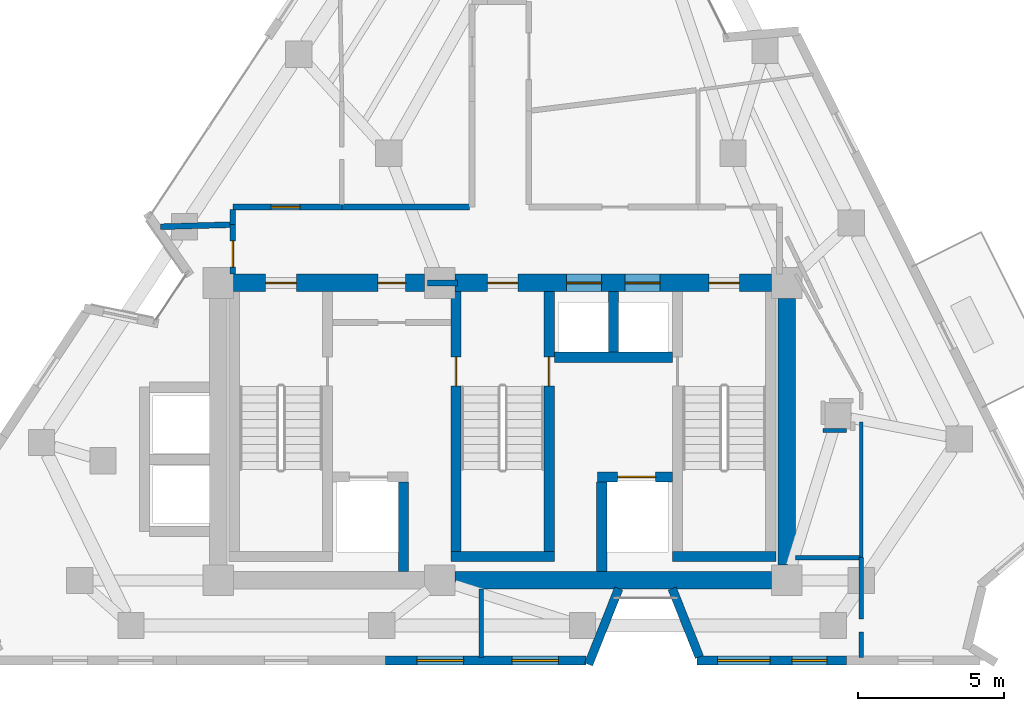
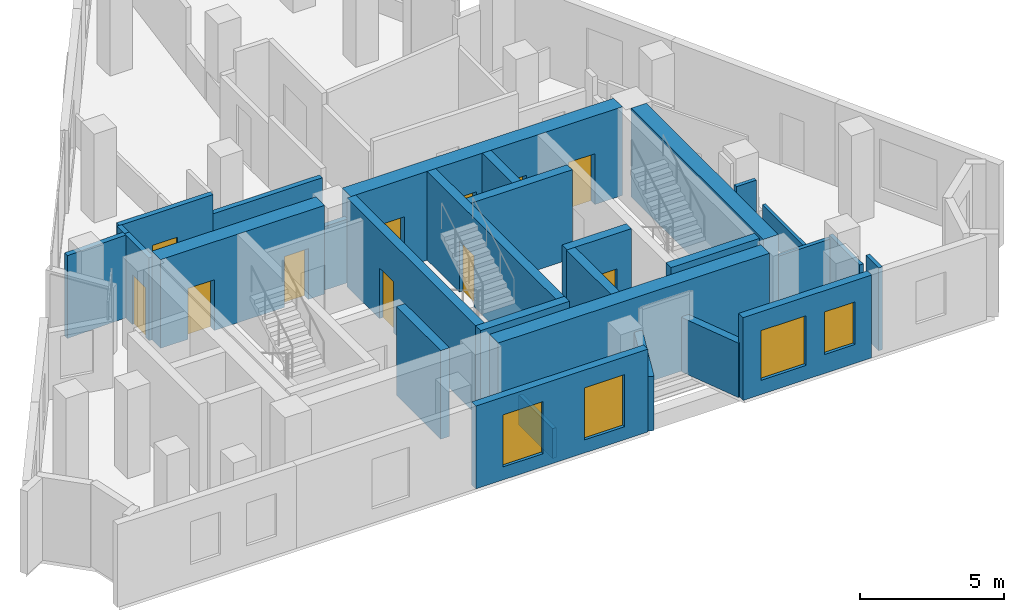
# One storey, part 5 of 9: 29 walls, 11 doors, 4 windows, 15 openings.
"""IFC4 building model written with IfcOpenShell, lengths in metres."""

from ifc_helpers import new_model, si_unit, direction, frame, frame_2d, origin, place, context, subcontext, project, spatial, rectangle, extrude, material, layer, layer_set, type_object, element, fill, save


model = new_model("IFC4")

# Units and contexts
model_context = context("Model", 3, precision=1e-05, world=origin(), true_north=direction((0.0, 1.0)))
body_context = subcontext(model_context, "Body", "Model", "MODEL_VIEW")
ifc_project = project(units=[si_unit("LENGTHUNIT", "METRE"), si_unit("AREAUNIT", "SQUARE_METRE"), si_unit("VOLUMEUNIT", "CUBIC_METRE"), si_unit("PLANEANGLEUNIT", "RADIAN"), si_unit("MASSUNIT", "GRAM", prefix="KILO")], contexts=[model_context])

# Site, building, storey
site_placement = place(None, origin())
site = spatial("IfcSite", under=ifc_project, at=site_placement, CompositionType="ELEMENT")
building_placement = place(site_placement, origin())
building = spatial("IfcBuilding", under=site, at=building_placement, Name="Almagre Mirador Tower", CompositionType="ELEMENT")
storey_placement = place(building_placement, frame((0.0, 0.0, 267.0)))
storey = spatial("IfcBuildingStorey", under=building, at=storey_placement, Name="L69", CompositionType="ELEMENT", Elevation=267.0)

# Wall, openings, windows
ifc_material_1 = material(Name="Precast concrete C50/60", Category="concrete")
ifc_layer_1 = layer(ifc_material_1, 0.300048828125)
ifc_layer_set_1 = layer_set([ifc_layer_1], Name="Precast concrete C50/60")
wall_type_1 = type_object("IfcWallType", Name="WAL-EXT-300", PredefinedType="SOLIDWALL", material=ifc_layer_set_1)
wall_1_placement = place(storey_placement, frame((49.10009765625, 1.800048828125, 0.0), z_axis=(0.0, 0.0, 1.0), x_axis=(-1.0, 0.0, 0.0)))
wall_1 = element("IfcWall", 1, at=wall_1_placement, inside=storey, type_object=wall_type_1, Name="L69 expressed almagre precast frame wall 21", PredefinedType="SOLIDWALL", context=body_context, shape_type="SweptSolid", body=[
    extrude(rectangle(XDim=5.14013671875, YDim=0.300048828125, at=frame_2d((2.570068359375, 0.0))), origin(), (0.0, 0.0, 1.0), 3.5),
])
opening_1_placement = place(wall_1_placement, frame((2.625, 0.0, 0.60009765625)))
opening_1 = element("IfcOpeningElement", 2, at=opening_1_placement, cuts=wall_1, Name="Opening WN-01", PredefinedType="OPENING", context=body_context, shape_type="SweptSolid", body=[
    extrude(rectangle(XDim=1.800048828125, YDim=2.10009765625, at=frame_2d((0.89990234375, 1.050048828125))), frame((0.0, 0.159902, 0.0), z_axis=(0.0, -1.0, 0.0), x_axis=(1.0, 0.0, 0.0)), (0.0, 0.0, 1.0), 0.320049),
])
opening_2_placement = place(wall_1_placement, frame((0.675048828125, 0.0, 0.800048828125)))
opening_2 = element("IfcOpeningElement", 3, at=opening_2_placement, cuts=wall_1, Name="Opening WN-04", PredefinedType="OPENING", context=body_context, shape_type="SweptSolid", body=[
    extrude(rectangle(XDim=1.199951171875, YDim=1.800048828125, at=frame_2d((0.60009765625, 0.89990234375))), frame((0.0, 0.159902, 0.0), z_axis=(0.0, -1.0, 0.0), x_axis=(1.0, 0.0, 0.0)), (0.0, 0.0, 1.0), 0.320049),
])
ifc_material_2 = material(Name="Dark solar-control laminated hurricane glass", Category="glass")
window_type_1 = type_object("IfcWindowType", Name="WIN-1200X1800", PartitioningType="SINGLE_PANEL", PredefinedType="WINDOW", material=ifc_material_2)
window_1_placement = place(opening_2_placement, origin())
window_1 = element("IfcWindow", 4, at=window_1_placement, inside=storey, type_object=window_type_1, Name="L69 recessed hurricane window L69-UC-BT", OverallHeight=1.800048828125, OverallWidth=1.199951171875, PartitioningType="SINGLE_PANEL", PredefinedType="WINDOW", context=body_context, shape_type="SweptSolid", body=[
    extrude(rectangle(XDim=1.199951171875, YDim=1.800048828125, at=frame_2d((0.60009765625, 0.89990234375))), frame((0.0, 0.030029296875, 0.0), z_axis=(0.0, -1.0, 0.0), x_axis=(1.0, 0.0, 0.0)), (0.0, 0.0, 1.0), 0.06005859375),
])
fill(opening_2, window_1)
ifc_material_3 = material(Name="Dark solar-control laminated hurricane glass", Category="glass")
window_type_2 = type_object("IfcWindowType", Name="WIN-1800X2100", PartitioningType="DOUBLE_PANEL_VERTICAL", PredefinedType="WINDOW", material=ifc_material_3)
window_2_placement = place(opening_1_placement, origin())
window_2 = element("IfcWindow", 5, at=window_2_placement, inside=storey, type_object=window_type_2, Name="L69 recessed hurricane window L69-UB-BT", OverallHeight=2.10009765625, OverallWidth=1.800048828125, PartitioningType="SINGLE_PANEL", PredefinedType="WINDOW", context=body_context, shape_type="SweptSolid", body=[
    extrude(rectangle(XDim=1.800048828125, YDim=2.10009765625, at=frame_2d((0.89990234375, 1.050048828125))), frame((0.0, 0.030029296875, 0.0), z_axis=(0.0, -1.0, 0.0), x_axis=(1.0, 0.0, 0.0)), (0.0, 0.0, 1.0), 0.06005859375),
])
fill(opening_1, window_2)

# Walls
wall_2_placement = place(storey_placement, frame((44.050048828125, 1.92529296875, 0.0), z_axis=(0.0, 0.0, 1.0), x_axis=(-0.369457562636, 0.929247603931, 0.0)))
element("IfcWall", 6, at=wall_2_placement, inside=storey, type_object=wall_type_1, Name="L69 expressed almagre precast frame wall 22", PredefinedType="SOLIDWALL", context=body_context, shape_type="SweptSolid", body=[
    extrude(rectangle(XDim=2.52685546875, YDim=0.300048828125, at=frame_2d((1.263427734375, 0.0))), origin(), (0.0, 0.0, 1.0), 2.300048828125),
])
wall_3_placement = place(storey_placement, frame((41.28369140625, 4.2734375, 0.0), z_axis=(0.0, 0.0, 1.0), x_axis=(-0.369542065233, -0.929214002275, 0.0)))
element("IfcWall", 7, at=wall_3_placement, inside=storey, type_object=wall_type_1, Name="L69 expressed almagre precast frame wall 23", PredefinedType="SOLIDWALL", context=body_context, shape_type="SweptSolid", body=[
    extrude(rectangle(XDim=2.8017578125, YDim=0.300048828125, at=frame_2d((1.40087890625, 0.0))), origin(), (0.0, 0.0, 1.0), 2.300048828125),
])

# Wall, openings, windows
wall_4_placement = place(storey_placement, frame((40.1650390625, 1.800048828125, 0.0), z_axis=(0.0, 0.0, 1.0), x_axis=(-1.0, 0.0, 0.0)))
wall_4 = element("IfcWall", 8, at=wall_4_placement, inside=storey, type_object=wall_type_1, Name="L69 expressed almagre precast frame wall 24", PredefinedType="SOLIDWALL", context=body_context, shape_type="SweptSolid", body=[
    extrude(rectangle(XDim=6.885009765625, YDim=0.300048828125, at=frame_2d((3.4423828125, 0.0))), origin(), (0.0, 0.0, 1.0), 3.5),
])
opening_3_placement = place(wall_4_placement, frame((4.199951171875, 0.0, 0.550048828125)))
opening_3 = element("IfcOpeningElement", 9, at=opening_3_placement, cuts=wall_4, Name="Opening WN-06", PredefinedType="OPENING", context=body_context, shape_type="SweptSolid", body=[
    extrude(rectangle(XDim=1.60009765625, YDim=2.199951171875, at=frame_2d((0.800048828125, 1.10009765625))), frame((0.0, 0.159902, 0.0), z_axis=(0.0, -1.0, 0.0), x_axis=(1.0, 0.0, 0.0)), (0.0, 0.0, 1.0), 0.320049),
])
opening_4_placement = place(wall_4_placement, frame((0.949951171875, 0.0, 0.550048828125)))
opening_4 = element("IfcOpeningElement", 10, at=opening_4_placement, cuts=wall_4, Name="Opening WN-06", PredefinedType="OPENING", context=body_context, shape_type="SweptSolid", body=[
    extrude(rectangle(XDim=1.60009765625, YDim=2.199951171875, at=frame_2d((0.800048828125, 1.10009765625))), frame((0.0, 0.159902, 0.0), z_axis=(0.0, -1.0, 0.0), x_axis=(1.0, 0.0, 0.0)), (0.0, 0.0, 1.0), 0.320049),
])
ifc_material_4 = material(Name="Dark solar-control laminated hurricane glass", Category="glass")
window_type_3 = type_object("IfcWindowType", Name="WIN-1600X2200", PartitioningType="DOUBLE_PANEL_VERTICAL", PredefinedType="WINDOW", material=ifc_material_4)
window_3_placement = place(opening_3_placement, origin())
window_3 = element("IfcWindow", 11, at=window_3_placement, inside=storey, type_object=window_type_3, Name="L69 recessed hurricane window L69-UB-ST", OverallHeight=2.199951171875, OverallWidth=1.60009765625, PartitioningType="SINGLE_PANEL", PredefinedType="WINDOW", context=body_context, shape_type="SweptSolid", body=[
    extrude(rectangle(XDim=1.60009765625, YDim=2.199951171875, at=frame_2d((0.800048828125, 1.10009765625))), frame((0.0, 0.030029296875, 0.0), z_axis=(0.0, -1.0, 0.0), x_axis=(1.0, 0.0, 0.0)), (0.0, 0.0, 1.0), 0.06005859375),
])
fill(opening_3, window_3)
window_4_placement = place(opening_4_placement, origin())
window_4 = element("IfcWindow", 12, at=window_4_placement, inside=storey, type_object=window_type_3, Name="L69 recessed hurricane window L69-UB-BT", OverallHeight=2.199951171875, OverallWidth=1.60009765625, PartitioningType="SINGLE_PANEL", PredefinedType="WINDOW", context=body_context, shape_type="SweptSolid", body=[
    extrude(rectangle(XDim=1.60009765625, YDim=2.199951171875, at=frame_2d((0.800048828125, 1.10009765625))), frame((0.0, 0.030029296875, 0.0), z_axis=(0.0, -1.0, 0.0), x_axis=(1.0, 0.0, 0.0)), (0.0, 0.0, 1.0), 0.06005859375),
])
fill(opening_4, window_4)

# Walls
ifc_material_5 = material(Name="Gypsum acoustic stud partition", Category="other")
ifc_layer_2 = layer(ifc_material_5, 0.125)
ifc_layer_set_2 = layer_set([ifc_layer_2], Name="Gypsum acoustic stud partition")
wall_type_2 = type_object("IfcWallType", Name="WAL-PRT-125-UTL", PredefinedType="PARTITIONING", material=ifc_layer_set_2)
wall_5_placement = place(storey_placement, frame((49.60009765625, 9.97998046875, 0.0), z_axis=(0.0, 0.0, 1.0), x_axis=(0.0, -1.0, 0.0)))
element("IfcWall", 13, at=wall_5_placement, inside=storey, type_object=wall_type_2, Name="L69 interior partition 027", PredefinedType="PARTITIONING", context=body_context, shape_type="SweptSolid", body=[
    extrude(rectangle(XDim=4.64990234375, YDim=0.125, at=frame_2d((2.324951171875, 0.0))), origin(), (0.0, 0.0, 1.0), 1.27001953125),
])
ifc_material_6 = material(Name="Gypsum acoustic stud partition", Category="other")
ifc_layer_3 = layer(ifc_material_6, 0.14990234375)
ifc_layer_set_3 = layer_set([ifc_layer_3], Name="Gypsum acoustic stud partition")
wall_type_3 = type_object("IfcWallType", Name="WAL-PRT-150-STD", PredefinedType="PARTITIONING", material=ifc_layer_set_3)
wall_6_placement = place(storey_placement, frame((36.570068359375, 1.89990234375, 0.0), z_axis=(0.0, 0.0, 1.0), x_axis=(0.0, 1.0, 0.0)))
element("IfcWall", 14, at=wall_6_placement, inside=storey, type_object=wall_type_3, Name="L69 interior partition 024", PredefinedType="PARTITIONING", context=body_context, shape_type="SweptSolid", body=[
    extrude(rectangle(XDim=2.35009765625, YDim=0.14990234375, at=frame_2d((1.175048828125, 0.0))), origin(), (0.0, 0.0, 1.0), 1.27001953125),
])
wall_7_placement = place(storey_placement, frame((49.60009765625, 2.780029296875, 0.0), z_axis=(0.0, 0.0, 1.0), x_axis=(0.0, -1.0, 0.0)))
element("IfcWall", 15, at=wall_7_placement, inside=storey, type_object=wall_type_3, Name="L69 interior partition 029", PredefinedType="PARTITIONING", context=body_context, shape_type="SweptSolid", body=[
    extrude(rectangle(XDim=0.880126953125, YDim=0.14990234375, at=frame_2d((0.43994140625, 0.0))), origin(), (0.0, 0.0, 1.0), 3.5),
])
wall_8_placement = place(storey_placement, frame((49.60009765625, 5.330078125, 0.0), z_axis=(0.0, 0.0, 1.0), x_axis=(0.0, -1.0, 0.0)))
element("IfcWall", 16, at=wall_8_placement, inside=storey, type_object=wall_type_3, Name="L69 interior partition 030", PredefinedType="PARTITIONING", context=body_context, shape_type="SweptSolid", body=[
    extrude(rectangle(XDim=2.110107421875, YDim=0.14990234375, at=frame_2d((1.05517578125, 0.0))), origin(), (0.0, 0.0, 1.0), 2.820068359375),
])
wall_9_placement = place(storey_placement, frame((47.35009765625, 5.330078125, 0.0), z_axis=(0.0, 0.0, 1.0), x_axis=(1.0, 0.0, 0.0)))
element("IfcWall", 17, at=wall_9_placement, inside=storey, type_object=wall_type_3, Name="L69 interior partition 032", PredefinedType="PARTITIONING", context=body_context, shape_type="SweptSolid", body=[
    extrude(rectangle(XDim=2.202392578125, YDim=0.14990234375, at=frame_2d((1.10107421875, 0.0))), origin(), (0.0, 0.0, 1.0), 2.68505859375),
])
wall_10_placement = place(storey_placement, frame((49.094970703125, 9.68994140625, 0.0), z_axis=(0.0, 0.0, 1.0), x_axis=(-1.0, 0.0, 0.0)))
element("IfcWall", 18, at=wall_10_placement, inside=storey, type_object=wall_type_3, Name="L69 interior partition 047", PredefinedType="PARTITIONING", context=body_context, shape_type="SweptSolid", body=[
    extrude(rectangle(XDim=0.804931640625, YDim=0.14990234375, at=frame_2d((0.40234375, 0.0))), origin(), (0.0, 0.0, 1.0), 2.68505859375),
])
ifc_material_7 = material(Name="Gypsum acoustic stud partition", Category="other")
ifc_layer_4 = layer(ifc_material_7, 0.199951171875)
ifc_layer_set_4 = layer_set([ifc_layer_4], Name="Gypsum acoustic stud partition")
wall_type_4 = type_object("IfcWallType", Name="WAL-PRT-200-EI60", PredefinedType="PARTITIONING", material=ifc_layer_set_4)
wall_11_placement = place(storey_placement, frame((34.719970703125, 14.75, 0.0), z_axis=(0.0, 0.0, 1.0), x_axis=(1.0, 0.0, 0.0)))
element("IfcWall", 19, at=wall_11_placement, inside=storey, type_object=wall_type_4, Name="L69 core north closure wall", PredefinedType="PARTITIONING", context=body_context, shape_type="SweptSolid", body=[
    extrude(rectangle(XDim=1.030029296875, YDim=0.199951171875, at=frame_2d((0.51513671875, 0.0))), origin(), (0.0, 0.0, 1.0), 2.68505859375),
])

# Wall, opening, door
wall_12_placement = place(storey_placement, frame((28.050048828125, 16.75, 0.0), z_axis=(0.0, 0.0, 1.0), x_axis=(0.0, -1.0, 0.0)))
wall_12 = element("IfcWall", 20, at=wall_12_placement, inside=storey, type_object=wall_type_4, Name="L69 interior partition 002", PredefinedType="PARTITIONING", context=body_context, shape_type="SweptSolid", body=[
    extrude(rectangle(XDim=1.699951171875, YDim=0.199951171875, at=frame_2d((0.85009765625, 0.0))), origin(), (0.0, 0.0, 1.0), 3.5),
])
opening_5_placement = place(wall_12_placement, frame((0.555908203125, 0.0, 0.0)))
opening_5 = element("IfcOpeningElement", 21, at=opening_5_placement, cuts=wall_12, Name="Opening ID-03", PredefinedType="OPENING", context=body_context, shape_type="SweptSolid", body=[
    extrude(rectangle(XDim=0.89990234375, YDim=2.10009765625, at=frame_2d((0.449951171875, 1.050048828125))), frame((0.0, 0.110098, 0.0), z_axis=(0.0, -1.0, 0.0), x_axis=(1.0, 0.0, 0.0)), (0.0, 0.0, 1.0), 0.219951),
])
ifc_material_8 = material(Name="Fire-rated hollow steel", Category="steel")
door_type_1 = type_object("IfcDoorType", Name="DOR-FD60-900X2100", OperationType="NOTDEFINED", PredefinedType="DOOR", material=ifc_material_8)
door_1_placement = place(opening_5_placement, origin())
door_1 = element("IfcDoor", 22, at=door_1_placement, inside=storey, type_object=door_type_1, Name="DR-2102 L69 interior door L69-RCOR to L69-RST-D", OperationType="SINGLE_SWING_LEFT", OverallHeight=2.10009765625, OverallWidth=0.89990234375, PredefinedType="DOOR", context=body_context, shape_type="SweptSolid", body=[
    extrude(rectangle(XDim=0.89990234375, YDim=2.10009765625, at=frame_2d((0.449951171875, 1.050048828125))), frame((0.0, 0.02490234375, 0.0), z_axis=(0.0, -1.0, 0.0), x_axis=(1.0, 0.0, 0.0)), (0.0, 0.0, 1.0), 0.050048828125),
])
fill(opening_5, door_1)

wall_13_placement = place(storey_placement, frame((31.7900390625, 17.35009765625, 0.0), z_axis=(0.0, 0.0, 1.0), x_axis=(-1.0, 0.0, 0.0)))
wall_13 = element("IfcWall", 23, at=wall_13_placement, inside=storey, type_object=wall_type_4, Name="L69 interior partition 009", PredefinedType="PARTITIONING", context=body_context, shape_type="SweptSolid", body=[
    extrude(rectangle(XDim=3.739990234375, YDim=0.199951171875, at=frame_2d((1.8701171875, 0.0))), origin(), (0.0, 0.0, 1.0), 3.5),
])
opening_6_placement = place(wall_13_placement, frame((1.4287109375, 0.0, 0.0)))
opening_6 = element("IfcOpeningElement", 24, at=opening_6_placement, cuts=wall_13, Name="Opening ID-01", PredefinedType="OPENING", context=body_context, shape_type="SweptSolid", body=[
    extrude(rectangle(XDim=1.0, YDim=2.199951171875, at=frame_2d((0.5, 1.10009765625))), frame((0.0, 0.110098, 0.0), z_axis=(0.0, -1.0, 0.0), x_axis=(1.0, 0.0, 0.0)), (0.0, 0.0, 1.0), 0.219951),
])
ifc_material_9 = material(Name="Fire-rated walnut timber", Category="wood")
door_type_2 = type_object("IfcDoorType", Name="DOR-FD60-1000X2200", OperationType="NOTDEFINED", PredefinedType="DOOR", material=ifc_material_9)
door_2_placement = place(opening_6_placement, origin())
door_2 = element("IfcDoor", 25, at=door_2_placement, inside=storey, type_object=door_type_2, Name="DR-2107 L69 interior door L69-RCOR to L69-UG-KT", OperationType="SINGLE_SWING_RIGHT", OverallHeight=2.199951171875, OverallWidth=1.0, PredefinedType="DOOR", context=body_context, shape_type="SweptSolid", body=[
    extrude(rectangle(XDim=1.0, YDim=2.199951171875, at=frame_2d((0.5, 1.10009765625))), frame((0.0, 0.02490234375, 0.0), z_axis=(0.0, -1.0, 0.0), x_axis=(1.0, 0.0, 0.0)), (0.0, 0.0, 1.0), 0.050048828125),
])
fill(opening_6, door_2)

# Walls
wall_14_placement = place(storey_placement, frame((28.050048828125, 17.264892578125, 0.0), z_axis=(0.0, 0.0, 1.0), x_axis=(0.0, -1.0, 0.0)))
element("IfcWall", 26, at=wall_14_placement, inside=storey, type_object=wall_type_4, Name="L69 interior partition 010", PredefinedType="PARTITIONING", context=body_context, shape_type="SweptSolid", body=[
    extrude(rectangle(XDim=0.514892578125, YDim=0.199951171875, at=frame_2d((0.25732421875, 0.0))), origin(), (0.0, 0.0, 1.0), 3.5),
])
wall_15_placement = place(storey_placement, frame((36.1650390625, 17.35009765625, 0.0), z_axis=(0.0, 0.0, 1.0), x_axis=(-1.0, 0.0, 0.0)))
element("IfcWall", 27, at=wall_15_placement, inside=storey, type_object=wall_type_4, Name="L69 interior partition 012", PredefinedType="PARTITIONING", context=body_context, shape_type="SweptSolid", body=[
    extrude(rectangle(XDim=4.375, YDim=0.199951171875, at=frame_2d((2.1875, 0.0))), origin(), (0.0, 0.0, 1.0), 2.68505859375),
])
wall_16_placement = place(storey_placement, frame((27.965087890625, 16.74853515625, 0.0), z_axis=(0.0, 0.0, 1.0), x_axis=(-0.999564571774, -0.029507064478, 0.0)))
element("IfcWall", 28, at=wall_16_placement, inside=storey, type_object=wall_type_4, Name="L69 interior partition 033", PredefinedType="PARTITIONING", context=body_context, shape_type="SweptSolid", body=[
    extrude(rectangle(XDim=2.39111328125, YDim=0.199951171875, at=frame_2d((1.195556640625, 0.0))), origin(), (0.0, 0.0, 1.0), 3.5),
])

# Wall, opening, door
ifc_material_10 = material(Name="Concrete C60/75", Category="concrete")
ifc_layer_5 = layer(ifc_material_10, 0.35009765625)
ifc_layer_set_5 = layer_set([ifc_layer_5], Name="Concrete C60/75")
wall_type_5 = type_object("IfcWallType", Name="WAL-SHF-350", PredefinedType="SOLIDWALL", material=ifc_layer_set_5)
wall_17_placement = place(storey_placement, frame((35.699951171875, 5.199951171875, 0.0), z_axis=(0.0, 0.0, 1.0), x_axis=(0.0, 1.0, 0.0)))
wall_17 = element("IfcWall", 29, at=wall_17_placement, inside=storey, type_object=wall_type_5, Name="L69 shaft wall ST2-W", PredefinedType="SOLIDWALL", context=body_context, shape_type="SweptSolid", body=[
    extrude(rectangle(XDim=9.25, YDim=0.35009765625, at=frame_2d((4.625, 0.0))), origin(), (0.0, 0.0, 1.0), 3.75),
])
opening_7_placement = place(wall_17_placement, frame((6.02001953125, 0.0, 0.0)))
opening_7 = element("IfcOpeningElement", 30, at=opening_7_placement, cuts=wall_17, Name="Opening FD-01", PredefinedType="OPENING", context=body_context, shape_type="SweptSolid", body=[
    extrude(rectangle(XDim=1.0, YDim=2.14990234375, at=frame_2d((0.5, 1.074951171875))), frame((0.0, 0.185049, 0.0), z_axis=(0.0, -1.0, 0.0), x_axis=(1.0, 0.0, 0.0)), (0.0, 0.0, 1.0), 0.370098),
])
ifc_material_11 = material(Name="Fire-rated hollow steel", Category="steel")
door_type_3 = type_object("IfcDoorType", Name="DOR-FFL-1000X2150", OperationType="NOTDEFINED", PredefinedType="DOOR", material=ifc_material_11)
door_3_placement = place(opening_7_placement, origin())
door_3 = element("IfcDoor", 31, at=door_3_placement, inside=storey, type_object=door_type_3, Name="DR-2099 L69 FFL1-ST2 smokeproof door", OperationType="SINGLE_SWING_RIGHT", OverallHeight=2.14990234375, OverallWidth=1.0, PredefinedType="DOOR", context=body_context, shape_type="SweptSolid", body=[
    extrude(rectangle(XDim=1.0, YDim=2.14990234375, at=frame_2d((0.5, 1.074951171875))), frame((0.0, 0.02490234375, 0.0), z_axis=(0.0, -1.0, 0.0), x_axis=(1.0, 0.0, 0.0)), (0.0, 0.0, 1.0), 0.050048828125),
])
fill(opening_7, door_3)

wall_18_placement = place(storey_placement, frame((38.89990234375, 5.199951171875, 0.0), z_axis=(0.0, 0.0, 1.0), x_axis=(0.0, 1.0, 0.0)))
wall_18 = element("IfcWall", 32, at=wall_18_placement, inside=storey, type_object=wall_type_5, Name="L69 shaft wall ST2-E", PredefinedType="SOLIDWALL", context=body_context, shape_type="SweptSolid", body=[
    extrude(rectangle(XDim=9.25, YDim=0.35009765625, at=frame_2d((4.625, 0.0))), origin(), (0.0, 0.0, 1.0), 3.75),
])
opening_8_placement = place(wall_18_placement, frame((6.02001953125, 0.0, 0.0)))
opening_8 = element("IfcOpeningElement", 33, at=opening_8_placement, cuts=wall_18, Name="Opening FD-01", PredefinedType="OPENING", context=body_context, shape_type="SweptSolid", body=[
    extrude(rectangle(XDim=1.0, YDim=2.14990234375, at=frame_2d((0.5, 1.074951171875))), frame((0.0, 0.185049, 0.0), z_axis=(0.0, -1.0, 0.0), x_axis=(1.0, 0.0, 0.0)), (0.0, 0.0, 1.0), 0.370098),
])
door_4_placement = place(opening_8_placement, origin())
door_4 = element("IfcDoor", 34, at=door_4_placement, inside=storey, type_object=door_type_3, Name="DR-2100 L69 FFL2-ST2 smokeproof door", OperationType="SINGLE_SWING_LEFT", OverallHeight=2.14990234375, OverallWidth=1.0, PredefinedType="DOOR", context=body_context, shape_type="SweptSolid", body=[
    extrude(rectangle(XDim=1.0, YDim=2.14990234375, at=frame_2d((0.5, 1.074951171875))), frame((0.0, 0.02490234375, 0.0), z_axis=(0.0, -1.0, 0.0), x_axis=(1.0, 0.0, 0.0)), (0.0, 0.0, 1.0), 0.050048828125),
])
fill(opening_8, door_4)

# Walls
for number, where, z_axis, x_axis, name in (
    (35, (35.52490234375, 5.375, 0.0), (0.0, 0.0, 1.0), (1.0, 0.0, 0.0), "L69 shaft wall ST2-S"),
    (36, (43.125, 5.375, 0.0), (0.0, 0.0, 1.0), (1.0, 0.0, 0.0), "L69 shaft wall ST3-S"),
):
    element("IfcWall", number, at=place(storey_placement, frame(where, z_axis=z_axis, x_axis=x_axis)), inside=storey, type_object=wall_type_5, Name=name, PredefinedType="SOLIDWALL", context=body_context, shape_type="SweptSolid", body=[
        extrude(rectangle(XDim=3.550048828125, YDim=0.35009765625, at=frame_2d((1.77490234375, 0.0))), origin(), (0.0, 0.0, 1.0), 3.75),
    ])

# Wall, opening, door
wall_19_placement = place(storey_placement, frame((40.550048828125, 8.10009765625, 0.0), z_axis=(0.0, 0.0, 1.0), x_axis=(1.0, 0.0, 0.0)))
wall_19 = element("IfcWall", 37, at=wall_19_placement, inside=storey, type_object=wall_type_5, Name="L69 shaft wall FSAE2-N", PredefinedType="SOLIDWALL", context=body_context, shape_type="SweptSolid", body=[
    extrude(rectangle(XDim=2.574951171875, YDim=0.35009765625, at=frame_2d((1.28759765625, 0.0))), origin(), (0.0, 0.0, 1.0), 3.75),
])
opening_9_placement = place(wall_19_placement, frame((0.699951171875, 0.0, 0.0)))
opening_9 = element("IfcOpeningElement", 38, at=opening_9_placement, cuts=wall_19, Name="Opening LD-03", PredefinedType="OPENING", context=body_context, shape_type="SweptSolid", body=[
    extrude(rectangle(XDim=1.300048828125, YDim=2.25, at=frame_2d((0.64990234375, 1.125))), frame((0.0, 0.185049, 0.0), z_axis=(0.0, -1.0, 0.0), x_axis=(1.0, 0.0, 0.0)), (0.0, 0.0, 1.0), 0.370098),
])
ifc_material_12 = material(Name="Hollow stainless steel", Category="steel")
door_type_4 = type_object("IfcDoorType", Name="DOR-LD-1300X2250", OperationType="DOUBLE_DOOR_SLIDING", PredefinedType="DOOR", material=ifc_material_12)
door_5_placement = place(opening_9_placement, origin())
door_5 = element("IfcDoor", 39, at=door_5_placement, inside=storey, type_object=door_type_4, Name="DR-2110 L69 FSAE-2 lift landing door", OperationType="DOUBLE_DOOR_SLIDING", OverallHeight=2.25, OverallWidth=1.300048828125, PredefinedType="DOOR", context=body_context, shape_type="SweptSolid", body=[
    extrude(rectangle(XDim=1.300048828125, YDim=2.25, at=frame_2d((0.64990234375, 1.125))), frame((0.0, 0.02490234375, 0.0), z_axis=(0.0, -1.0, 0.0), x_axis=(1.0, 0.0, 0.0)), (0.0, 0.0, 1.0), 0.050048828125),
])
fill(opening_9, door_5)

# Walls
for number, where, z_axis, x_axis, name in (
    (40, (33.89990234375, 4.85009765625, 0.0), (0.0, 0.0, 1.0), (0.0, 1.0, 0.0), "L69 shaft wall FSAE1-E"),
    (41, (40.699951171875, 4.85009765625, 0.0), (0.0, 0.0, 1.0), (0.0, 1.0, 0.0), "L69 shaft wall FSAE2-W"),
):
    element("IfcWall", number, at=place(storey_placement, frame(where, z_axis=z_axis, x_axis=x_axis)), inside=storey, type_object=wall_type_5, Name=name, PredefinedType="SOLIDWALL", context=body_context, shape_type="SweptSolid", body=[
        extrude(rectangle(XDim=3.074951171875, YDim=0.35009765625, at=frame_2d((1.53759765625, 0.0))), origin(), (0.0, 0.0, 1.0), 3.75),
    ])
wall_20_placement = place(storey_placement, frame((39.074951171875, 12.199951171875, 0.0), z_axis=(0.0, 0.0, 1.0), x_axis=(1.0, 0.0, 0.0)))
element("IfcWall", 42, at=wall_20_placement, inside=storey, type_object=wall_type_5, Name="L69 shaft wall PLH-S", PredefinedType="SOLIDWALL", context=body_context, shape_type="SweptSolid", body=[
    extrude(rectangle(XDim=4.050048828125, YDim=0.35009765625, at=frame_2d((2.02490234375, 0.0))), origin(), (0.0, 0.0, 1.0), 3.75),
])
wall_21_placement = place(storey_placement, frame((41.10009765625, 12.375, 0.0), z_axis=(0.0, 0.0, 1.0), x_axis=(0.0, 1.0, 0.0)))
element("IfcWall", 43, at=wall_21_placement, inside=storey, type_object=wall_type_5, Name="L69 shaft wall PLH-M", PredefinedType="SOLIDWALL", context=body_context, shape_type="SweptSolid", body=[
    extrude(rectangle(XDim=2.074951171875, YDim=0.35009765625, at=frame_2d((1.03759765625, 0.0))), origin(), (0.0, 0.0, 1.0), 3.75),
])
ifc_material_13 = material(Name="Concrete C60/75", Category="concrete")
ifc_layer_6 = layer(ifc_material_13, 0.60009765625)
ifc_layer_set_6 = layer_set([ifc_layer_6], Name="Concrete C60/75")
wall_type_6 = type_object("IfcWallType", Name="WAL-SHR-600", PredefinedType="SHEAR", material=ifc_layer_set_6)
wall_22_placement = place(storey_placement, frame((35.675048828125, 4.550048828125, 0.0), z_axis=(0.0, 0.0, 1.0), x_axis=(1.0, 0.0, 0.0)))
element("IfcWall", 44, at=wall_22_placement, inside=storey, type_object=wall_type_6, Name="L69 core shear wall S2", PredefinedType="SHEAR", context=body_context, shape_type="SweptSolid", body=[
    extrude(rectangle(XDim=10.849853515625, YDim=0.60009765625, at=frame_2d((5.4248046875, 0.0))), origin(), (0.0, 0.0, 1.0), 3.75),
])

# Wall, openings, doors
wall_23_placement = place(storey_placement, frame((28.074951171875, 14.75, 0.0), z_axis=(0.0, 0.0, 1.0), x_axis=(1.0, 0.0, 0.0)))
wall_23 = element("IfcWall", 45, at=wall_23_placement, inside=storey, type_object=wall_type_6, Name="L69 core shear wall N1", PredefinedType="SHEAR", context=body_context, shape_type="SweptSolid", body=[
    extrude(rectangle(XDim=6.550048828125, YDim=0.60009765625, at=frame_2d((3.27490234375, 0.0))), origin(), (0.0, 0.0, 1.0), 3.75),
])
opening_10_placement = place(wall_23_placement, frame((1.10009765625, 0.0, 0.0)))
opening_10 = element("IfcOpeningElement", 46, at=opening_10_placement, cuts=wall_23, Name="Opening SD-01", PredefinedType="OPENING", context=body_context, shape_type="SweptSolid", body=[
    extrude(rectangle(XDim=1.050048828125, YDim=2.14990234375, at=frame_2d((0.52490234375, 1.074951171875))), frame((0.0, 0.310049, 0.0), z_axis=(0.0, -1.0, 0.0), x_axis=(1.0, 0.0, 0.0)), (0.0, 0.0, 1.0), 0.620098),
])
opening_11_placement = place(wall_23_placement, frame((4.949951171875, 0.0, 0.0)))
opening_11 = element("IfcOpeningElement", 47, at=opening_11_placement, cuts=wall_23, Name="Opening FD-02", PredefinedType="OPENING", context=body_context, shape_type="SweptSolid", body=[
    extrude(rectangle(XDim=0.949951171875, YDim=2.14990234375, at=frame_2d((0.47509765625, 1.074951171875))), frame((0.0, 0.310049, 0.0), z_axis=(0.0, -1.0, 0.0), x_axis=(1.0, 0.0, 0.0)), (0.0, 0.0, 1.0), 0.620098),
])
ifc_material_14 = material(Name="Fire-rated hollow steel", Category="steel")
door_type_5 = type_object("IfcDoorType", Name="DOR-FD90-950X2150", OperationType="NOTDEFINED", PredefinedType="DOOR", material=ifc_material_14)
door_6_placement = place(opening_11_placement, origin())
door_6 = element("IfcDoor", 48, at=door_6_placement, inside=storey, type_object=door_type_5, Name="DR-2096 L69 core equipment room north door", OperationType="SINGLE_SWING_LEFT", OverallHeight=2.14990234375, OverallWidth=0.949951171875, PredefinedType="DOOR", context=body_context, shape_type="SweptSolid", body=[
    extrude(rectangle(XDim=0.949951171875, YDim=2.14990234375, at=frame_2d((0.47509765625, 1.074951171875))), frame((0.0, 0.02490234375, 0.0), z_axis=(0.0, -1.0, 0.0), x_axis=(1.0, 0.0, 0.0)), (0.0, 0.0, 1.0), 0.050048828125),
])
fill(opening_11, door_6)
ifc_material_15 = material(Name="Fire-rated hollow steel", Category="steel")
door_type_6 = type_object("IfcDoorType", Name="DOR-ST-1050X2150", OperationType="NOTDEFINED", PredefinedType="DOOR", material=ifc_material_15)
door_7_placement = place(opening_10_placement, origin())
door_7 = element("IfcDoor", 49, at=door_7_placement, inside=storey, type_object=door_type_6, Name="DR-2113 L69 protected exit stair ST-1 door", OperationType="SINGLE_SWING_RIGHT", OverallHeight=2.14990234375, OverallWidth=1.050048828125, PredefinedType="DOOR", context=body_context, shape_type="SweptSolid", body=[
    extrude(rectangle(XDim=1.050048828125, YDim=2.14990234375, at=frame_2d((0.52490234375, 1.074951171875))), frame((0.0, 0.02490234375, 0.0), z_axis=(0.0, -1.0, 0.0), x_axis=(1.0, 0.0, 0.0)), (0.0, 0.0, 1.0), 0.050048828125),
])
fill(opening_10, door_7)

wall_24_placement = place(storey_placement, frame((35.675048828125, 14.75, 0.0), z_axis=(0.0, 0.0, 1.0), x_axis=(1.0, 0.0, 0.0)))
wall_24 = element("IfcWall", 50, at=wall_24_placement, inside=storey, type_object=wall_type_6, Name="L69 core shear wall N2", PredefinedType="SHEAR", context=body_context, shape_type="SweptSolid", body=[
    extrude(rectangle(XDim=10.849853515625, YDim=0.60009765625, at=frame_2d((5.4248046875, 0.0))), origin(), (0.0, 0.0, 1.0), 3.75),
])
opening_12_placement = place(wall_24_placement, frame((1.10009765625, 0.0, 0.0)))
opening_12 = element("IfcOpeningElement", 51, at=opening_12_placement, cuts=wall_24, Name="Opening SD-01", PredefinedType="OPENING", context=body_context, shape_type="SweptSolid", body=[
    extrude(rectangle(XDim=1.050048828125, YDim=2.14990234375, at=frame_2d((0.52490234375, 1.074951171875))), frame((0.0, 0.310049, 0.0), z_axis=(0.0, -1.0, 0.0), x_axis=(1.0, 0.0, 0.0)), (0.0, 0.0, 1.0), 0.620098),
])
opening_13_placement = place(wall_24_placement, frame((8.699951171875, 0.0, 0.0)))
opening_13 = element("IfcOpeningElement", 52, at=opening_13_placement, cuts=wall_24, Name="Opening SD-01", PredefinedType="OPENING", context=body_context, shape_type="SweptSolid", body=[
    extrude(rectangle(XDim=1.050048828125, YDim=2.14990234375, at=frame_2d((0.52490234375, 1.074951171875))), frame((0.0, 0.310049, 0.0), z_axis=(0.0, -1.0, 0.0), x_axis=(1.0, 0.0, 0.0)), (0.0, 0.0, 1.0), 0.620098),
])
opening_14_placement = place(wall_24_placement, frame((3.824951171875, 0.0, 0.0)))
opening_14 = element("IfcOpeningElement", 53, at=opening_14_placement, cuts=wall_24, Name="Opening LD-02", PredefinedType="OPENING", context=body_context, shape_type="SweptSolid", body=[
    extrude(rectangle(XDim=1.199951171875, YDim=2.199951171875, at=frame_2d((0.60009765625, 1.10009765625))), frame((0.0, 0.310049, 0.0), z_axis=(0.0, -1.0, 0.0), x_axis=(1.0, 0.0, 0.0)), (0.0, 0.0, 1.0), 0.620098),
])
opening_15_placement = place(wall_24_placement, frame((5.824951171875, 0.0, 0.0)))
opening_15 = element("IfcOpeningElement", 54, at=opening_15_placement, cuts=wall_24, Name="Opening LD-02", PredefinedType="OPENING", context=body_context, shape_type="SweptSolid", body=[
    extrude(rectangle(XDim=1.199951171875, YDim=2.199951171875, at=frame_2d((0.60009765625, 1.10009765625))), frame((0.0, 0.310049, 0.0), z_axis=(0.0, -1.0, 0.0), x_axis=(1.0, 0.0, 0.0)), (0.0, 0.0, 1.0), 0.620098),
])
ifc_material_16 = material(Name="Hollow stainless steel", Category="steel")
door_type_7 = type_object("IfcDoorType", Name="DOR-LD-1200X2200", OperationType="DOUBLE_DOOR_SLIDING", PredefinedType="DOOR", material=ifc_material_16)
door_8_placement = place(opening_14_placement, origin())
door_8 = element("IfcDoor", 55, at=door_8_placement, inside=storey, type_object=door_type_7, Name="DR-2111 L69 PL-H1 lift landing door", OperationType="DOUBLE_DOOR_SLIDING", OverallHeight=2.199951171875, OverallWidth=1.199951171875, PredefinedType="DOOR", context=body_context, shape_type="SweptSolid", body=[
    extrude(rectangle(XDim=1.199951171875, YDim=2.199951171875, at=frame_2d((0.60009765625, 1.10009765625))), frame((0.0, 0.02490234375, 0.0), z_axis=(0.0, -1.0, 0.0), x_axis=(1.0, 0.0, 0.0)), (0.0, 0.0, 1.0), 0.050048828125),
])
fill(opening_14, door_8)
door_9_placement = place(opening_15_placement, origin())
door_9 = element("IfcDoor", 56, at=door_9_placement, inside=storey, type_object=door_type_7, Name="DR-2112 L69 PL-H2 lift landing door", OperationType="DOUBLE_DOOR_SLIDING", OverallHeight=2.199951171875, OverallWidth=1.199951171875, PredefinedType="DOOR", context=body_context, shape_type="SweptSolid", body=[
    extrude(rectangle(XDim=1.199951171875, YDim=2.199951171875, at=frame_2d((0.60009765625, 1.10009765625))), frame((0.0, 0.02490234375, 0.0), z_axis=(0.0, -1.0, 0.0), x_axis=(1.0, 0.0, 0.0)), (0.0, 0.0, 1.0), 0.050048828125),
])
fill(opening_15, door_9)
door_10_placement = place(opening_12_placement, origin())
door_10 = element("IfcDoor", 57, at=door_10_placement, inside=storey, type_object=door_type_6, Name="DR-2114 L69 protected exit stair ST-2 door", OperationType="SINGLE_SWING_LEFT", OverallHeight=2.14990234375, OverallWidth=1.050048828125, PredefinedType="DOOR", context=body_context, shape_type="SweptSolid", body=[
    extrude(rectangle(XDim=1.050048828125, YDim=2.14990234375, at=frame_2d((0.52490234375, 1.074951171875))), frame((0.0, 0.02490234375, 0.0), z_axis=(0.0, -1.0, 0.0), x_axis=(1.0, 0.0, 0.0)), (0.0, 0.0, 1.0), 0.050048828125),
])
fill(opening_12, door_10)
door_11_placement = place(opening_13_placement, origin())
door_11 = element("IfcDoor", 58, at=door_11_placement, inside=storey, type_object=door_type_6, Name="DR-2115 L69 protected exit stair ST-3 door", OperationType="SINGLE_SWING_RIGHT", OverallHeight=2.14990234375, OverallWidth=1.050048828125, PredefinedType="DOOR", context=body_context, shape_type="SweptSolid", body=[
    extrude(rectangle(XDim=1.050048828125, YDim=2.14990234375, at=frame_2d((0.52490234375, 1.074951171875))), frame((0.0, 0.02490234375, 0.0), z_axis=(0.0, -1.0, 0.0), x_axis=(1.0, 0.0, 0.0)), (0.0, 0.0, 1.0), 0.050048828125),
])
fill(opening_13, door_11)

# Wall
wall_25_placement = place(storey_placement, frame((47.050048828125, 5.074951171875, 0.0), z_axis=(0.0, 0.0, 1.0), x_axis=(0.0, 1.0, 0.0)))
element("IfcWall", 59, at=wall_25_placement, inside=storey, type_object=wall_type_6, Name="L69 core shear wall E1", PredefinedType="SHEAR", context=body_context, shape_type="SweptSolid", body=[
    extrude(rectangle(XDim=9.150146484375, YDim=0.60009765625, at=frame_2d((4.5751953125, 0.0))), origin(), (0.0, 0.0, 1.0), 3.75),
])

save(model, "model.ifc")
